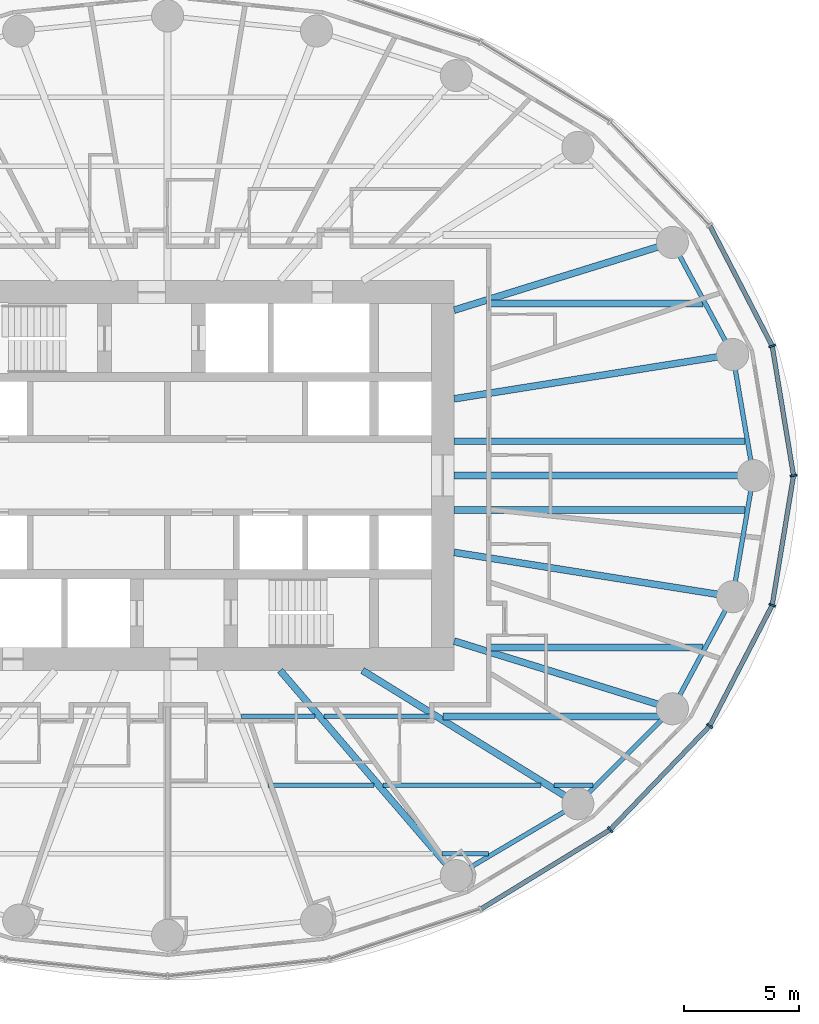
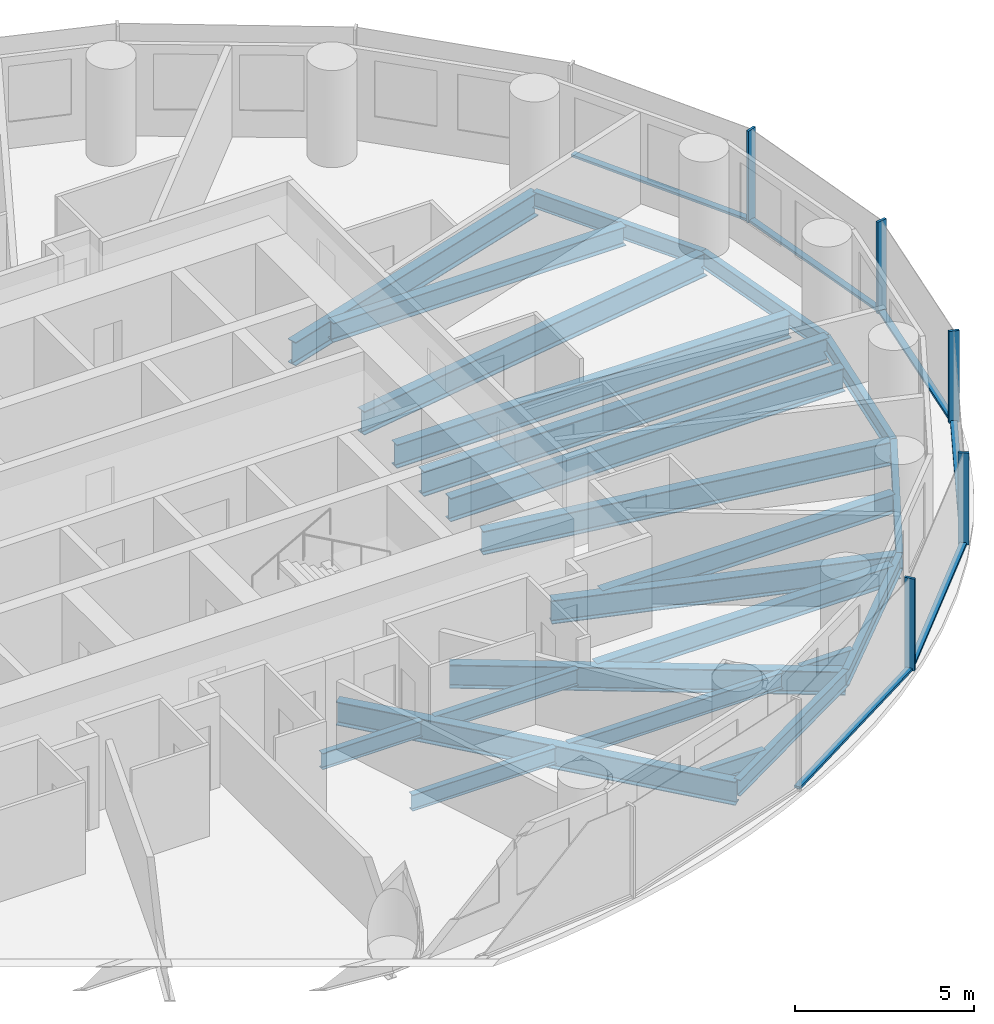
# One storey, part 3 of 14: 24 beams, 11 members, 2 elements without a shape of their own.
"""IFC4 building model written with IfcOpenShell, lengths in metres."""

from ifc_helpers import new_model, si_unit, direction, frame, origin, origin_2d, place, context, subcontext, project, spatial, rectangle, i_section, extrude, material, material_profile, profile_set, type_object, element, aggregate, save


model = new_model("IFC4")

# Units and contexts
model_context = context("Model", 3, precision=1e-05, world=origin(), true_north=direction((0.0, 1.0)))
body_context = subcontext(model_context, "Body", "Model", "MODEL_VIEW")
ifc_project = project(units=[si_unit("LENGTHUNIT", "METRE"), si_unit("AREAUNIT", "SQUARE_METRE"), si_unit("VOLUMEUNIT", "CUBIC_METRE"), si_unit("PLANEANGLEUNIT", "RADIAN"), si_unit("MASSUNIT", "GRAM", prefix="KILO")], contexts=[model_context])

# Site, building, storey
site_placement = place(None, origin())
site = spatial("IfcSite", under=ifc_project, at=site_placement, CompositionType="ELEMENT")
building_placement = place(site_placement, origin())
building = spatial("IfcBuilding", under=site, at=building_placement, Name="Hankou Lantern Tower", CompositionType="ELEMENT")
storey_placement = place(building_placement, frame((0.0, 0.0, 54.0)))
storey = spatial("IfcBuildingStorey", under=building, at=storey_placement, Name="L12", CompositionType="ELEMENT", Elevation=54.0)

# Beams
ifc_material_1 = material(Name="Steel Q355B", Category="steel")
ifc_material_profile_1 = material_profile(ifc_material_1, i_section(OverallWidth=0.199951171875, OverallDepth=0.550048828125, WebThickness=0.010009765625, FlangeThickness=0.01611328125, FilletRadius=0.012939453125, at=origin_2d()), Name="HN550x200x10x16")
ifc_profile_set_1 = profile_set([ifc_material_profile_1], Name="Steel Q355B")
beam_type_1 = type_object("IfcBeamType", Name="EB6 RING BEAM HN550x200x10x16", PredefinedType="SPANDREL", material=ifc_profile_set_1)
beam_1_placement = place(storey_placement, frame((25.550048828125, 0.0, -0.455078125), z_axis=(-0.168489691988, 0.985703415685, 0.0), x_axis=(-0.985703415685, -0.168489691988, 0.0)))
element("IfcBeam", 1, at=beam_1_placement, inside=storey, type_object=beam_type_1, Name="Ring beam R01-R02 L12", PredefinedType="SPANDREL", context=body_context, shape_type="SweptSolid", body=[
    extrude(i_section(OverallWidth=0.199951171875, OverallDepth=0.550048828125, WebThickness=0.010009765625, FlangeThickness=0.01611328125, FilletRadius=0.012939453125, at=origin_2d()), origin(), (0.0, 0.0, 1.0), 5.35986328125),
])
beam_2_placement = place(storey_placement, frame((24.64697265625, 5.283203125, -0.455078125), z_axis=(-0.473609096023, 0.880735161194, 0.0), x_axis=(-0.880735161194, -0.473609096023, 0.0)))
element("IfcBeam", 2, at=beam_2_placement, inside=storey, type_object=beam_type_1, Name="Ring beam R02-R03 L12", PredefinedType="SPANDREL", context=body_context, shape_type="SweptSolid", body=[
    extrude(i_section(OverallWidth=0.199951171875, OverallDepth=0.550048828125, WebThickness=0.010009765625, FlangeThickness=0.01611328125, FilletRadius=0.012939453125, at=origin_2d()), origin(), (0.0, 0.0, 1.0), 5.548828125),
])
beam_3_placement = place(storey_placement, frame((12.5908203125, -17.446533203125, -0.455078125), z_axis=(0.860881533543, 0.508805449268, 0.0), x_axis=(-0.508805449268, 0.860881533543, 0.0)))
element("IfcBeam", 3, at=beam_3_placement, inside=storey, type_object=beam_type_1, Name="Ring beam R21-R22 L12", PredefinedType="SPANDREL", context=body_context, shape_type="SweptSolid", body=[
    extrude(i_section(OverallWidth=0.199951171875, OverallDepth=0.550048828125, WebThickness=0.010009765625, FlangeThickness=0.01611328125, FilletRadius=0.012939453125, at=origin_2d()), origin(), (0.0, 0.0, 1.0), 6.15771484375),
])
beam_4_placement = place(storey_placement, frame((17.891845703125, -14.3134765625, -0.455078125), z_axis=(0.705727798394, 0.708483079949, 0.0), x_axis=(-0.708483079949, 0.705727798394, 0.0)))
element("IfcBeam", 4, at=beam_4_placement, inside=storey, type_object=beam_type_1, Name="Ring beam R22-R23 L12", PredefinedType="SPANDREL", context=body_context, shape_type="SweptSolid", body=[
    extrude(i_section(OverallWidth=0.199951171875, OverallDepth=0.550048828125, WebThickness=0.010009765625, FlangeThickness=0.01611328125, FilletRadius=0.012939453125, at=origin_2d()), origin(), (0.0, 0.0, 1.0), 5.84814453125),
])
beam_5_placement = place(storey_placement, frame((22.01904296875, -10.170166015625, -0.455078125), z_axis=(0.473609096023, 0.880735161194, 0.0), x_axis=(-0.880735161194, 0.473609096023, 0.0)))
element("IfcBeam", 5, at=beam_5_placement, inside=storey, type_object=beam_type_1, Name="Ring beam R23-R24 L12", PredefinedType="SPANDREL", context=body_context, shape_type="SweptSolid", body=[
    extrude(i_section(OverallWidth=0.199951171875, OverallDepth=0.550048828125, WebThickness=0.010009765625, FlangeThickness=0.01611328125, FilletRadius=0.012939453125, at=origin_2d()), origin(), (0.0, 0.0, 1.0), 5.548828125),
])
beam_6_placement = place(storey_placement, frame((24.64697265625, -5.283203125, -0.455078125), z_axis=(0.168489691988, 0.985703415685, 0.0), x_axis=(-0.985703415685, 0.168489691988, 0.0)))
element("IfcBeam", 6, at=beam_6_placement, inside=storey, type_object=beam_type_1, Name="Ring beam R24-R01 L12", PredefinedType="SPANDREL", context=body_context, shape_type="SweptSolid", body=[
    extrude(i_section(OverallWidth=0.199951171875, OverallDepth=0.550048828125, WebThickness=0.010009765625, FlangeThickness=0.01611328125, FilletRadius=0.012939453125, at=origin_2d()), origin(), (0.0, 0.0, 1.0), 5.35986328125),
])

# Curtain wall, members
ifc_material_2 = material(Name="Glass, dark grey tinted laminated", Category="glass")
curtain_wall_type = type_object("IfcCurtainWallType", Name="CWA OUTER SKIN LOW-RISE", PredefinedType="USERDEFINED", material=ifc_material_2)
curtain_wall_1_placement = place(storey_placement, origin())
curtain_wall_1 = element("IfcCurtainWall", 7, at=curtain_wall_1_placement, inside=storey, type_object=curtain_wall_type, Name="CWA L12 OS1", ObjectType="OUTER SKIN LOW-RISE", PredefinedType="USERDEFINED")
ifc_material_3 = material(Name="Aluminium, black anodised", Category="aluminium")
ifc_material_profile_2 = material_profile(ifc_material_3, rectangle(XDim=0.080078125, YDim=0.300048828125, at=origin_2d()), Name="MU1 80X300")
ifc_profile_set_2 = profile_set([ifc_material_profile_2], Name="Aluminium, black anodised")
member_type_1 = type_object("IfcMemberType", Name="MU1 OUTER SKIN MULLION 80X300", PredefinedType="MULLION", material=ifc_profile_set_2)
member_1_placement = place(storey_placement, frame((27.300048828125, 0.0, 0.0), z_axis=(0.0, 0.0, 1.0), x_axis=(-0.162381515188, 0.986728049427, 0.0)))
member_1 = element("IfcMember", 8, at=member_1_placement, type_object=member_type_1, Name="CWA mullion 1", PredefinedType="MULLION", context=body_context, shape_type="SweptSolid", body=[
    extrude(rectangle(XDim=0.080078125, YDim=0.300048828125, at=origin_2d()), origin(), (0.0, 0.0, 1.0), 3.1201171875),
])
member_2_placement = place(storey_placement, frame((26.369873046875, 5.652587890625, 0.0), z_axis=(0.0, 0.0, 1.0), x_axis=(-0.317595577365, 0.94822626479, 0.0)))
member_2 = element("IfcMember", 9, at=member_2_placement, type_object=member_type_1, Name="CWA mullion 2", PredefinedType="MULLION", context=body_context, shape_type="SweptSolid", body=[
    extrude(rectangle(XDim=0.080078125, YDim=0.300048828125, at=origin_2d()), origin(), (0.0, 0.0, 1.0), 3.1201171875),
])

curtain_wall_2_placement = place(storey_placement, origin())
curtain_wall_2 = element("IfcCurtainWall", 10, at=curtain_wall_2_placement, inside=storey, type_object=curtain_wall_type, Name="CWA L12 OS4", ObjectType="OUTER SKIN LOW-RISE", PredefinedType="USERDEFINED")
member_3_placement = place(storey_placement, frame((19.303955078125, -15.443115234375, 0.0), z_axis=(0.0, 0.0, 1.0), x_axis=(0.780868809444, 0.624695047553, 0.0)))
member_3 = element("IfcMember", 11, at=member_3_placement, type_object=member_type_1, Name="CWA mullion 4", PredefinedType="MULLION", context=body_context, shape_type="SweptSolid", body=[
    extrude(rectangle(XDim=0.080078125, YDim=0.300048828125, at=origin_2d()), origin(), (0.0, 0.0, 1.0), 3.1201171875),
])
member_4_placement = place(storey_placement, frame((23.642578125, -10.919921875, 0.0), z_axis=(0.0, 0.0, 1.0), x_axis=(0.585205735974, 0.810884854084, 0.0)))
member_4 = element("IfcMember", 12, at=member_4_placement, type_object=member_type_1, Name="CWA mullion 5", PredefinedType="MULLION", context=body_context, shape_type="SweptSolid", body=[
    extrude(rectangle(XDim=0.080078125, YDim=0.300048828125, at=origin_2d()), origin(), (0.0, 0.0, 1.0), 3.1201171875),
])
member_5_placement = place(storey_placement, frame((26.369873046875, -5.652587890625, 0.0), z_axis=(0.0, 0.0, 1.0), x_axis=(0.317595577365, 0.94822626479, 0.0)))
member_5 = element("IfcMember", 13, at=member_5_placement, type_object=member_type_1, Name="CWA mullion 6", PredefinedType="MULLION", context=body_context, shape_type="SweptSolid", body=[
    extrude(rectangle(XDim=0.080078125, YDim=0.300048828125, at=origin_2d()), origin(), (0.0, 0.0, 1.0), 3.1201171875),
])

# Beams
ifc_material_4 = material(Name="Steel Q355B", Category="steel")
ifc_material_profile_3 = material_profile(ifc_material_4, i_section(OverallWidth=0.300048828125, OverallDepth=0.800048828125, WebThickness=0.013916015625, FlangeThickness=0.02587890625, FilletRadius=0.01806640625, at=origin_2d()), Name="HN800x300x14x26")
ifc_profile_set_3 = profile_set([ifc_material_profile_3], Name="Steel Q355B")
beam_type_2 = type_object("IfcBeamType", Name="RB11 RADIAL BEAM HN800x300x14x26", PredefinedType="BEAM", material=ifc_profile_set_3)
beam_7_placement = place(storey_placement, frame((12.5, 3.349365234375, -0.580078125), z_axis=(0.987563081343, 0.157223281893, 0.0), x_axis=(-0.157223281893, 0.987563081343, 0.0)))
element("IfcBeam", 14, at=beam_7_placement, inside=storey, type_object=beam_type_2, Name="Radial beam R02 L12", PredefinedType="BEAM", context=body_context, shape_type="SweptSolid", body=[
    extrude(i_section(OverallWidth=0.300048828125, OverallDepth=0.800048828125, WebThickness=0.013916015625, FlangeThickness=0.02587890625, FilletRadius=0.01806640625, at=origin_2d()), origin(), (0.0, 0.0, 1.0), 12.300048828125),
])
beam_8_placement = place(storey_placement, frame((12.5, 7.216796875, -0.580078125), z_axis=(0.955087327755, 0.29632447817, 0.0), x_axis=(-0.29632447817, 0.955087327755, 0.0)))
element("IfcBeam", 15, at=beam_8_placement, inside=storey, type_object=beam_type_2, Name="Radial beam R03 L12", PredefinedType="BEAM", context=body_context, shape_type="SweptSolid", body=[
    extrude(i_section(OverallWidth=0.300048828125, OverallDepth=0.800048828125, WebThickness=0.013916015625, FlangeThickness=0.02587890625, FilletRadius=0.01806640625, at=origin_2d()), origin(), (0.0, 0.0, 1.0), 9.966552734375),
])
beam_9_placement = place(storey_placement, frame((4.907470703125, -8.5, -0.580078125), z_axis=(0.651519061225, -0.758632264579, 0.0), x_axis=(0.758632264579, 0.651519061225, 0.0)))
element("IfcBeam", 16, at=beam_9_placement, inside=storey, type_object=beam_type_2, Name="Radial beam R21 L12", PredefinedType="BEAM", context=body_context, shape_type="SweptSolid", body=[
    extrude(i_section(OverallWidth=0.300048828125, OverallDepth=0.800048828125, WebThickness=0.013916015625, FlangeThickness=0.02587890625, FilletRadius=0.01806640625, at=origin_2d()), origin(), (0.0, 0.0, 1.0), 11.79296875),
])
beam_10_placement = place(storey_placement, frame((8.5, -8.5, -0.580078125), z_axis=(0.850286343288, -0.526320372414, 0.0), x_axis=(0.526320372414, 0.850286343288, 0.0)))
element("IfcBeam", 17, at=beam_10_placement, inside=storey, type_object=beam_type_2, Name="Radial beam R22 L12", PredefinedType="BEAM", context=body_context, shape_type="SweptSolid", body=[
    extrude(i_section(OverallWidth=0.300048828125, OverallDepth=0.800048828125, WebThickness=0.013916015625, FlangeThickness=0.02587890625, FilletRadius=0.01806640625, at=origin_2d()), origin(), (0.0, 0.0, 1.0), 11.04541015625),
])
beam_11_placement = place(storey_placement, frame((12.5, -7.216796875, -0.580078125), z_axis=(0.955087327755, -0.29632447817, 0.0), x_axis=(0.29632447817, 0.955087327755, 0.0)))
element("IfcBeam", 18, at=beam_11_placement, inside=storey, type_object=beam_type_2, Name="Radial beam R23 L12", PredefinedType="BEAM", context=body_context, shape_type="SweptSolid", body=[
    extrude(i_section(OverallWidth=0.300048828125, OverallDepth=0.800048828125, WebThickness=0.013916015625, FlangeThickness=0.02587890625, FilletRadius=0.01806640625, at=origin_2d()), origin(), (0.0, 0.0, 1.0), 9.966552734375),
])
beam_12_placement = place(storey_placement, frame((12.5, -3.349365234375, -0.580078125), z_axis=(0.987563081343, -0.157223281893, 0.0), x_axis=(0.157223281893, 0.987563081343, 0.0)))
element("IfcBeam", 19, at=beam_12_placement, inside=storey, type_object=beam_type_2, Name="Radial beam R24 L12", PredefinedType="BEAM", context=body_context, shape_type="SweptSolid", body=[
    extrude(i_section(OverallWidth=0.300048828125, OverallDepth=0.800048828125, WebThickness=0.013916015625, FlangeThickness=0.02587890625, FilletRadius=0.01806640625, at=origin_2d()), origin(), (0.0, 0.0, 1.0), 12.300048828125),
])
ifc_material_5 = material(Name="Steel Q355B", Category="steel")
ifc_material_profile_4 = material_profile(ifc_material_5, i_section(OverallWidth=0.300048828125, OverallDepth=0.85009765625, WebThickness=0.01611328125, FlangeThickness=0.027099609375, FilletRadius=0.01806640625, at=origin_2d()), Name="HN850x300x16x27")
ifc_profile_set_4 = profile_set([ifc_material_profile_4], Name="Steel Q355B")
beam_type_3 = type_object("IfcBeamType", Name="RB12 RADIAL BEAM HN850x300x16x27", PredefinedType="BEAM", material=ifc_profile_set_4)
beam_13_placement = place(storey_placement, frame((12.5, 0.0, -0.60498046875), z_axis=(1.0, 0.0, 0.0), x_axis=(0.0, 1.0, 0.0)))
element("IfcBeam", 20, at=beam_13_placement, inside=storey, type_object=beam_type_3, Name="Radial beam R01 L12", PredefinedType="BEAM", context=body_context, shape_type="SweptSolid", body=[
    extrude(i_section(OverallWidth=0.300048828125, OverallDepth=0.85009765625, WebThickness=0.01611328125, FlangeThickness=0.027099609375, FilletRadius=0.01806640625, at=origin_2d()), origin(), (0.0, 0.0, 1.0), 13.050048828125),
])
ifc_material_6 = material(Name="Steel Q355B", Category="steel")
ifc_material_profile_5 = material_profile(ifc_material_6, i_section(OverallWidth=0.300048828125, OverallDepth=0.800048828125, WebThickness=0.013916015625, FlangeThickness=0.02587890625, FilletRadius=0.01806640625, at=origin_2d()), Name="HN800x300x14x26")
ifc_profile_set_5 = profile_set([ifc_material_profile_5], Name="Steel Q355B")
beam_type_4 = type_object("IfcBeamType", Name="SB11 SECONDARY BEAM HN800x300x14x26", PredefinedType="JOIST", material=ifc_profile_set_5)
for number, where, z_axis, x_axis, name in (
    (21, (12.5, -1.5, -0.580078125), (1.0, 0.0, 0.0), (0.0, 1.0, 0.0), "Floor joist J030 L12"),
    (22, (12.5, 1.5, -0.580078125), (1.0, 0.0, 0.0), (0.0, 1.0, 0.0), "Floor joist J032 L12"),
):
    element("IfcBeam", number, at=place(storey_placement, frame(where, z_axis=z_axis, x_axis=x_axis)), inside=storey, type_object=beam_type_4, Name=name, PredefinedType="JOIST", context=body_context, shape_type="SweptSolid", body=[
        extrude(i_section(OverallWidth=0.300048828125, OverallDepth=0.800048828125, WebThickness=0.013916015625, FlangeThickness=0.02587890625, FilletRadius=0.01806640625, at=origin_2d()), origin(), (0.0, 0.0, 1.0), 12.692138671875),
    ])
ifc_material_7 = material(Name="Steel Q355B", Category="steel")
ifc_material_profile_6 = material_profile(ifc_material_7, i_section(OverallWidth=0.199951171875, OverallDepth=0.550048828125, WebThickness=0.010009765625, FlangeThickness=0.01611328125, FilletRadius=0.012939453125, at=origin_2d()), Name="HN550x200x10x16")
ifc_profile_set_6 = profile_set([ifc_material_profile_6], Name="Steel Q355B")
beam_type_5 = type_object("IfcBeamType", Name="SB6 SECONDARY BEAM HN550x200x10x16", PredefinedType="JOIST", material=ifc_profile_set_6)
beam_14_placement = place(storey_placement, frame((11.975830078125, -16.5, -0.455078125), z_axis=(1.0, 0.0, 0.0), x_axis=(0.0, 1.0, 0.0)))
element("IfcBeam", 23, at=beam_14_placement, inside=storey, type_object=beam_type_5, Name="Floor joist J006 L12", PredefinedType="JOIST", context=body_context, shape_type="SweptSolid", body=[
    extrude(i_section(OverallWidth=0.199951171875, OverallDepth=0.550048828125, WebThickness=0.010009765625, FlangeThickness=0.01611328125, FilletRadius=0.012939453125, at=origin_2d()), origin(), (0.0, 0.0, 1.0), 2.019775390625),
])
beam_15_placement = place(storey_placement, frame((4.37451171875, -13.5, -0.455078125), z_axis=(1.0, 0.0, 0.0), x_axis=(0.0, 1.0, 0.0)))
element("IfcBeam", 24, at=beam_15_placement, inside=storey, type_object=beam_type_5, Name="Floor joist J012 L12", PredefinedType="JOIST", context=body_context, shape_type="SweptSolid", body=[
    extrude(i_section(OverallWidth=0.199951171875, OverallDepth=0.550048828125, WebThickness=0.010009765625, FlangeThickness=0.01611328125, FilletRadius=0.012939453125, at=origin_2d()), origin(), (0.0, 0.0, 1.0), 4.62939453125),
])
beam_16_placement = place(storey_placement, frame((9.3994140625, -13.5, -0.455078125), z_axis=(1.0, 0.0, 0.0), x_axis=(0.0, 1.0, 0.0)))
element("IfcBeam", 25, at=beam_16_placement, inside=storey, type_object=beam_type_5, Name="Floor joist J013 L12", PredefinedType="JOIST", context=body_context, shape_type="SweptSolid", body=[
    extrude(i_section(OverallWidth=0.199951171875, OverallDepth=0.550048828125, WebThickness=0.010009765625, FlangeThickness=0.01611328125, FilletRadius=0.012939453125, at=origin_2d()), origin(), (0.0, 0.0, 1.0), 6.893310546875),
])
beam_17_placement = place(storey_placement, frame((16.86279296875, -13.5, -0.455078125), z_axis=(1.0, 0.0, 0.0), x_axis=(0.0, 1.0, 0.0)))
element("IfcBeam", 26, at=beam_17_placement, inside=storey, type_object=beam_type_5, Name="Floor joist J014 L12", PredefinedType="JOIST", context=body_context, shape_type="SweptSolid", body=[
    extrude(i_section(OverallWidth=0.199951171875, OverallDepth=0.550048828125, WebThickness=0.010009765625, FlangeThickness=0.01611328125, FilletRadius=0.012939453125, at=origin_2d()), origin(), (0.0, 0.0, 1.0), 1.697998046875),
])
beam_18_placement = place(storey_placement, frame((3.212890625, -10.5, -0.455078125), z_axis=(1.0, 0.0, 0.0), x_axis=(0.0, 1.0, 0.0)))
element("IfcBeam", 27, at=beam_18_placement, inside=storey, type_object=beam_type_5, Name="Floor joist J020 L12", PredefinedType="JOIST", context=body_context, shape_type="SweptSolid", body=[
    extrude(i_section(OverallWidth=0.199951171875, OverallDepth=0.550048828125, WebThickness=0.010009765625, FlangeThickness=0.01611328125, FilletRadius=0.012939453125, at=origin_2d()), origin(), (0.0, 0.0, 1.0), 3.214599609375),
])
beam_19_placement = place(storey_placement, frame((6.82275390625, -10.5, -0.455078125), z_axis=(1.0, 0.0, 0.0), x_axis=(0.0, 1.0, 0.0)))
element("IfcBeam", 28, at=beam_19_placement, inside=storey, type_object=beam_type_5, Name="Floor joist J021 L12", PredefinedType="JOIST", context=body_context, shape_type="SweptSolid", body=[
    extrude(i_section(OverallWidth=0.199951171875, OverallDepth=0.550048828125, WebThickness=0.010009765625, FlangeThickness=0.01611328125, FilletRadius=0.012939453125, at=origin_2d()), origin(), (0.0, 0.0, 1.0), 4.623291015625),
])
ifc_material_8 = material(Name="Steel Q355B", Category="steel")
ifc_material_profile_7 = material_profile(ifc_material_8, i_section(OverallWidth=0.300048828125, OverallDepth=0.64990234375, WebThickness=0.010986328125, FlangeThickness=0.01708984375, FilletRadius=0.01806640625, at=origin_2d()), Name="HN650x300x11x17")
ifc_profile_set_7 = profile_set([ifc_material_profile_7], Name="Steel Q355B")
beam_type_6 = type_object("IfcBeamType", Name="SB8 SECONDARY BEAM HN650x300x11x17", PredefinedType="JOIST", material=ifc_profile_set_7)
beam_20_placement = place(storey_placement, frame((12.01611328125, -10.5, -0.5048828125), z_axis=(1.0, 0.0, 0.0), x_axis=(0.0, 1.0, 0.0)))
element("IfcBeam", 29, at=beam_20_placement, inside=storey, type_object=beam_type_6, Name="Floor joist J022 L12", PredefinedType="JOIST", context=body_context, shape_type="SweptSolid", body=[
    extrude(i_section(OverallWidth=0.300048828125, OverallDepth=0.64990234375, WebThickness=0.010986328125, FlangeThickness=0.01708984375, FilletRadius=0.01806640625, at=origin_2d()), origin(), (0.0, 0.0, 1.0), 9.533203125),
])
for number, where, z_axis, x_axis, name in (
    (30, (13.918701171875, -7.5, -0.5048828125), (1.0, 0.0, 0.0), (0.0, 1.0, 0.0), "Floor joist J024 L12"),
    (31, (13.918701171875, 7.5, -0.5048828125), (1.0, 0.0, 0.0), (0.0, 1.0, 0.0), "Floor joist J038 L12"),
):
    element("IfcBeam", number, at=place(storey_placement, frame(where, z_axis=z_axis, x_axis=x_axis)), inside=storey, type_object=beam_type_6, Name=name, PredefinedType="JOIST", context=body_context, shape_type="SweptSolid", body=[
        extrude(i_section(OverallWidth=0.300048828125, OverallDepth=0.64990234375, WebThickness=0.010986328125, FlangeThickness=0.01708984375, FilletRadius=0.01806640625, at=origin_2d()), origin(), (0.0, 0.0, 1.0), 9.4228515625),
    ])

# Member
ifc_material_9 = material(Name="Aluminium, black anodised", Category="aluminium")
ifc_material_profile_8 = material_profile(ifc_material_9, rectangle(XDim=0.199951171875, YDim=0.080078125, at=origin_2d()), Name="TR1 200X80")
ifc_profile_set_8 = profile_set([ifc_material_profile_8], Name="Aluminium, black anodised")
member_type_2 = type_object("IfcMemberType", Name="TR1 OUTER SKIN TRANSOM 200X80", PredefinedType="USERDEFINED", material=ifc_profile_set_8)
member_6_placement = place(storey_placement, frame((27.29345703125, 0.03955078125, 0.0400390625), z_axis=(-0.162387045529, 0.986727139307, 0.0), x_axis=(-0.986727139307, -0.162387045529, 0.0)))
member_6 = element("IfcMember", 32, at=member_6_placement, type_object=member_type_2, Name="CWA transom 1", ObjectType="TRANSOM", PredefinedType="USERDEFINED", context=body_context, shape_type="SweptSolid", body=[
    extrude(rectangle(XDim=0.199951171875, YDim=0.080078125, at=origin_2d()), origin(), (0.0, 0.0, 1.0), 5.6484375),
])

member_7_placement = place(storey_placement, frame((26.351318359375, 5.688232421875, 0.0400390625), z_axis=(-0.459786096495, 0.888029698529, 0.0), x_axis=(-0.888029698529, -0.459786096495, 0.0)))
member_7 = element("IfcMember", 33, at=member_7_placement, type_object=member_type_2, Name="CWA transom 2", ObjectType="TRANSOM", PredefinedType="USERDEFINED", context=body_context, shape_type="SweptSolid", body=[
    extrude(rectangle(XDim=0.199951171875, YDim=0.080078125, at=origin_2d()), origin(), (0.0, 0.0, 1.0), 5.8515625),
])

aggregate(curtain_wall_1, [member_1, member_2, member_6, member_7])

member_8_placement = place(storey_placement, frame((13.68408203125, -18.89306640625, 0.0400390625), z_axis=(0.85223969557, 0.523151508929, 0.0), x_axis=(-0.523151508929, 0.85223969557, 0.0)))
member_8 = element("IfcMember", 34, at=member_8_placement, type_object=member_type_2, Name="CWA transom 3", ObjectType="TRANSOM", PredefinedType="USERDEFINED", context=body_context, shape_type="SweptSolid", body=[
    extrude(rectangle(XDim=0.199951171875, YDim=0.080078125, at=origin_2d()), origin(), (0.0, 0.0, 1.0), 6.554443359375),
])

member_9_placement = place(storey_placement, frame((19.331787109375, -15.414306640625, 0.0400390625), z_axis=(0.692215537374, 0.721690827029, 0.0), x_axis=(-0.721690827029, 0.692215537374, 0.0)))
member_9 = element("IfcMember", 35, at=member_9_placement, type_object=member_type_2, Name="CWA transom 4", ObjectType="TRANSOM", PredefinedType="USERDEFINED", context=body_context, shape_type="SweptSolid", body=[
    extrude(rectangle(XDim=0.199951171875, YDim=0.080078125, at=origin_2d()), origin(), (0.0, 0.0, 1.0), 6.187255859375),
])

member_10_placement = place(storey_placement, frame((23.660888671875, -10.884521484375, 0.0400390625), z_axis=(0.459786096495, 0.888029698529, 0.0), x_axis=(-0.888029698529, 0.459786096495, 0.0)))
member_10 = element("IfcMember", 36, at=member_10_placement, type_object=member_type_2, Name="CWA transom 5", ObjectType="TRANSOM", PredefinedType="USERDEFINED", context=body_context, shape_type="SweptSolid", body=[
    extrude(rectangle(XDim=0.199951171875, YDim=0.080078125, at=origin_2d()), origin(), (0.0, 0.0, 1.0), 5.8515625),
])

member_11_placement = place(storey_placement, frame((26.376220703125, -5.613037109375, 0.0400390625), z_axis=(0.162387045529, 0.986727139307, 0.0), x_axis=(-0.986727139307, 0.162387045529, 0.0)))
member_11 = element("IfcMember", 37, at=member_11_placement, type_object=member_type_2, Name="CWA transom 6", ObjectType="TRANSOM", PredefinedType="USERDEFINED", context=body_context, shape_type="SweptSolid", body=[
    extrude(rectangle(XDim=0.199951171875, YDim=0.080078125, at=origin_2d()), origin(), (0.0, 0.0, 1.0), 5.6484375),
])

aggregate(curtain_wall_2, [member_3, member_4, member_5, member_8, member_9, member_10, member_11])

save(model, "model.ifc")
